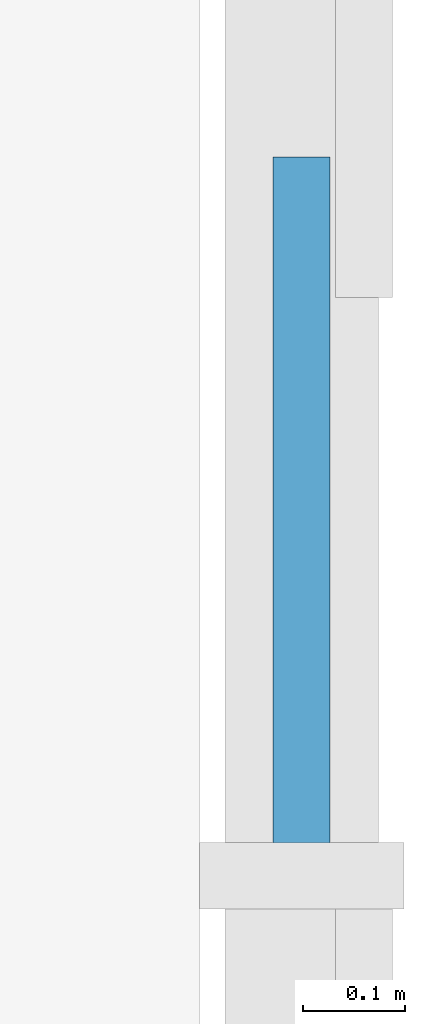
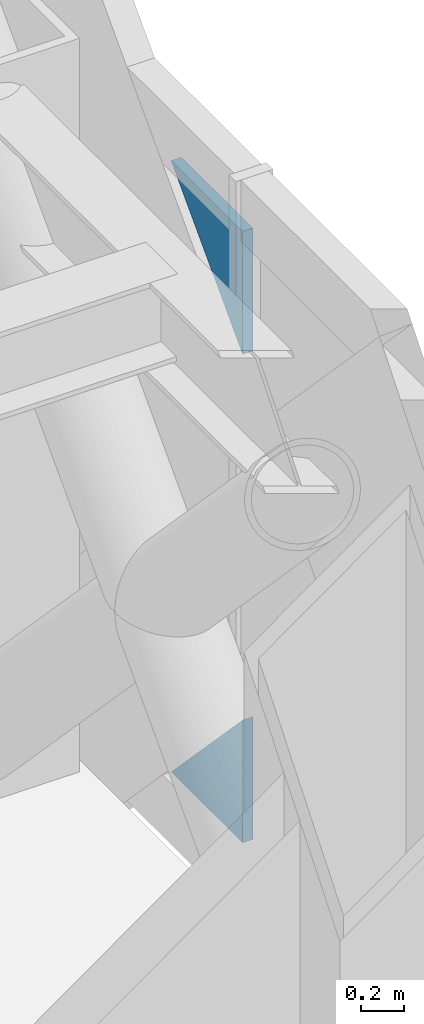
# One storey, part 12 of 17: 2 plates, 1 element without a shape of its own.
"""IFC4 building model written with IfcOpenShell, lengths in metres."""

from ifc_helpers import new_model, si_unit, direction, frame, origin, place, context, subcontext, project, spatial, polyline, outline, extrude, material, layer, layer_set, type_object, element, aggregate, save


model = new_model("IFC4")

# Units and contexts
model_context = context("Model", 3, precision=1e-05, world=origin(), true_north=direction((0.0, 1.0)))
body_context = subcontext(model_context, "Body", "Model", "MODEL_VIEW")
ifc_project = project(units=[si_unit("LENGTHUNIT", "METRE"), si_unit("AREAUNIT", "SQUARE_METRE"), si_unit("VOLUMEUNIT", "CUBIC_METRE"), si_unit("PLANEANGLEUNIT", "RADIAN"), si_unit("MASSUNIT", "GRAM", prefix="KILO")], contexts=[model_context])

# Site, building, storey
site_placement = place(None, origin())
site = spatial("IfcSite", under=ifc_project, at=site_placement, CompositionType="ELEMENT")
building_placement = place(site_placement, origin())
building = spatial("IfcBuilding", under=site, at=building_placement, Name="Rheinbord Bourse Tower", CompositionType="ELEMENT")
storey_placement = place(building_placement, frame((0.0, 0.0, 321.5)))
storey = spatial("IfcBuildingStorey", under=building, at=storey_placement, Name="L73", CompositionType="ELEMENT", Elevation=321.5)

# Curtain wall, plates
ifc_material_1 = material(Name="Dark glass and black aluminium", Category="aluminium")
curtain_wall_type = type_object("IfcCurtainWallType", Name="CW3 DARK GLASS CURTAIN WALL", PredefinedType="USERDEFINED", material=ifc_material_1)
curtain_wall_placement = place(storey_placement, origin())
curtain_wall = element("IfcCurtainWall", 1, at=curtain_wall_placement, inside=storey, type_object=curtain_wall_type, Name="Curtain wall CW3 E L73", ObjectType="UNITISED CURTAIN WALL", PredefinedType="USERDEFINED")
ifc_material_2 = material(Name="Dark tinted triple insulating glass", Category="glass")
ifc_layer = layer(ifc_material_2, 0.055908203125)
ifc_layer_set = layer_set([ifc_layer], Name="CW3 DARK GLASS PANEL")
plate_type = type_object("IfcPlateType", Name="CW3 DARK GLASS PANEL", PredefinedType="CURTAIN_PANEL", material=ifc_layer_set)
plate_1_placement = place(storey_placement, frame((70.3779296875, 14.23193359375, 0.35009765625), z_axis=(-1.0, 0.0, 0.0), x_axis=(0.0, 0.0, 1.0)))
plate_1 = element("IfcPlate", 2, at=plate_1_placement, type_object=plate_type, Name="CW3 glass facet 1", PredefinedType="CURTAIN_PANEL", context=body_context, shape_type="SweptSolid", body=[
    extrude(outline(polyline([(0.0, 0.0), (0.702880859375, 0.0), (0.0, 0.670166015625), (0.0, 0.0)])), origin(), (0.0, 0.0, 1.0), 0.055908203125),
])
plate_2_placement = place(storey_placement, frame((70.3779296875, 14.23193359375, 3.85009765625), z_axis=(-1.0, 0.0, 0.0), x_axis=(0.0, 1.0, 0.0)))
plate_2 = element("IfcPlate", 3, at=plate_2_placement, type_object=plate_type, Name="CW3 glass facet 2", PredefinedType="CURTAIN_PANEL", context=body_context, shape_type="SweptSolid", body=[
    extrude(outline(polyline([(0.0, 0.0), (0.670166015625, 0.0), (0.0, 0.703125), (0.0, 0.0)])), origin(), (0.0, 0.0, 1.0), 0.055908203125),
])
aggregate(curtain_wall, [plate_1, plate_2])

save(model, "model.ifc")
